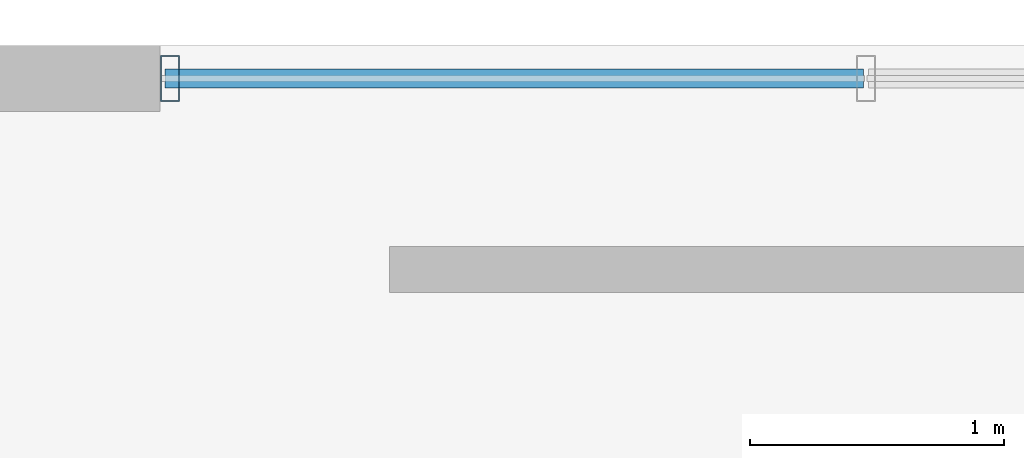
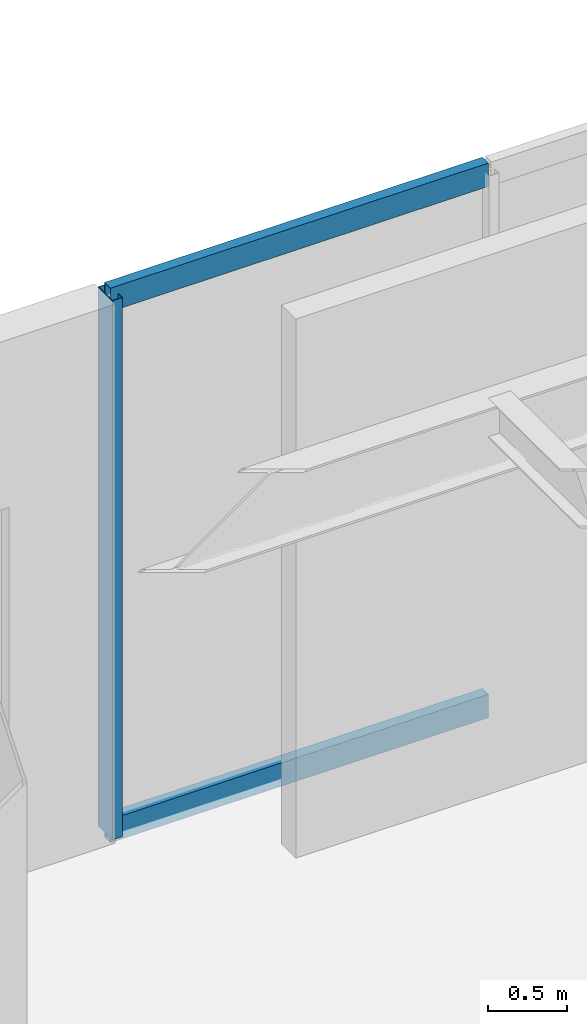
# One storey, part 2 of 10: 3 members, 1 element without a shape of its own.
"""IFC4 building model written with IfcOpenShell, lengths in metres."""

from ifc_helpers import new_model, si_unit, direction, frame, origin, origin_2d, place, context, subcontext, project, spatial, hollow_rectangle, extrude, material, material_profile, profile_set, type_object, element, aggregate, save


model = new_model("IFC4")

# Units and contexts
model_context = context("Model", 3, precision=1e-05, world=origin(), true_north=direction((0.0, 1.0)))
body_context = subcontext(model_context, "Body", "Model", "MODEL_VIEW")
ifc_project = project(units=[si_unit("LENGTHUNIT", "METRE"), si_unit("AREAUNIT", "SQUARE_METRE"), si_unit("VOLUMEUNIT", "CUBIC_METRE"), si_unit("PLANEANGLEUNIT", "RADIAN"), si_unit("MASSUNIT", "GRAM", prefix="KILO")], contexts=[model_context])

# Site, building, storey
site_placement = place(None, origin())
site = spatial("IfcSite", under=ifc_project, at=site_placement, CompositionType="ELEMENT")
building_placement = place(site_placement, origin())
building = spatial("IfcBuilding", under=site, at=building_placement, Name="Ventersveld Concourse Tower", CompositionType="ELEMENT")
storey_placement = place(building_placement, frame((0.0, 0.0, 357.85009765625)))
storey = spatial("IfcBuildingStorey", under=building, at=storey_placement, Name="L88", CompositionType="ELEMENT", Elevation=357.85009765625)

# Curtain wall, members
ifc_material = material(Name="Anodised aluminium EN AW-6063-T6", Category="aluminium")
curtain_wall_type = type_object("IfcCurtainWallType", Name="CW-SLOB-3", PredefinedType="NOTDEFINED", material=ifc_material)
curtain_wall_placement = place(storey_placement, origin())
curtain_wall = element("IfcCurtainWall", 1, at=curtain_wall_placement, inside=storey, type_object=curtain_wall_type, Name="L88 L88 High-Zone Observatory Curtain Wall West", PredefinedType="NOTDEFINED")
ifc_material_profile_1 = material_profile(ifc_material, hollow_rectangle(XDim=0.074951171875, YDim=0.179931640625, WallThickness=0.00390625, at=origin_2d()), Name="ALU 180x75x4")
ifc_profile_set_1 = profile_set([ifc_material_profile_1], Name="Anodised aluminium EN AW-6063-T6")
member_type_1 = type_object("IfcMemberType", Name="CWM-180x75", PredefinedType="MULLION", material=ifc_profile_set_1)
member_1_placement = place(storey_placement, frame((23.43994140625, 30.695556640625, 0.0), z_axis=(0.0, 0.0, 1.0), x_axis=(1.0, 0.0, 0.0)))
member_1 = element("IfcMember", 2, at=member_1_placement, type_object=member_type_1, Name="CW-L88-N1 Mullion 01", PredefinedType="MULLION", context=body_context, shape_type="SweptSolid", body=[
    extrude(hollow_rectangle(XDim=0.074951171875, YDim=0.179931640625, WallThickness=0.00390625, at=origin_2d()), origin(), (0.0, 0.0, 1.0), 4.139892578125),
])
ifc_material_profile_2 = material_profile(ifc_material, hollow_rectangle(XDim=0.074951171875, YDim=0.179931640625, WallThickness=0.00390625, at=origin_2d()), Name="ALU 180x75x4")
ifc_profile_set_2 = profile_set([ifc_material_profile_2], Name="Anodised aluminium EN AW-6063-T6")
member_type_2 = type_object("IfcMemberType", Name="CWT-180x75", PredefinedType="USERDEFINED", material=ifc_profile_set_2)
member_2_placement = place(storey_placement, frame((23.419921875, 30.695556640625, 0.02978515625), z_axis=(1.0, 0.0, 0.0), x_axis=(0.0, 1.0, 0.0)))
member_2 = element("IfcMember", 3, at=member_2_placement, type_object=member_type_2, Name="CW-L88-N1 Transom 1-01", ObjectType="TRANSOM", PredefinedType="USERDEFINED", context=body_context, shape_type="SweptSolid", body=[
    extrude(hollow_rectangle(XDim=0.074951171875, YDim=0.179931640625, WallThickness=0.00390625, at=origin_2d()), origin(), (0.0, 0.0, 1.0), 2.7451171875),
])
member_3_placement = place(storey_placement, frame((23.419921875, 30.695556640625, 4.10986328125), z_axis=(1.0, 0.0, 0.0), x_axis=(0.0, 1.0, 0.0)))
member_3 = element("IfcMember", 4, at=member_3_placement, type_object=member_type_2, Name="CW-L88-N1 Transom 2-01", ObjectType="TRANSOM", PredefinedType="USERDEFINED", context=body_context, shape_type="SweptSolid", body=[
    extrude(hollow_rectangle(XDim=0.074951171875, YDim=0.179931640625, WallThickness=0.00390625, at=origin_2d()), origin(), (0.0, 0.0, 1.0), 2.7451171875),
])
aggregate(curtain_wall, [member_1, member_2, member_3])

save(model, "model.ifc")
